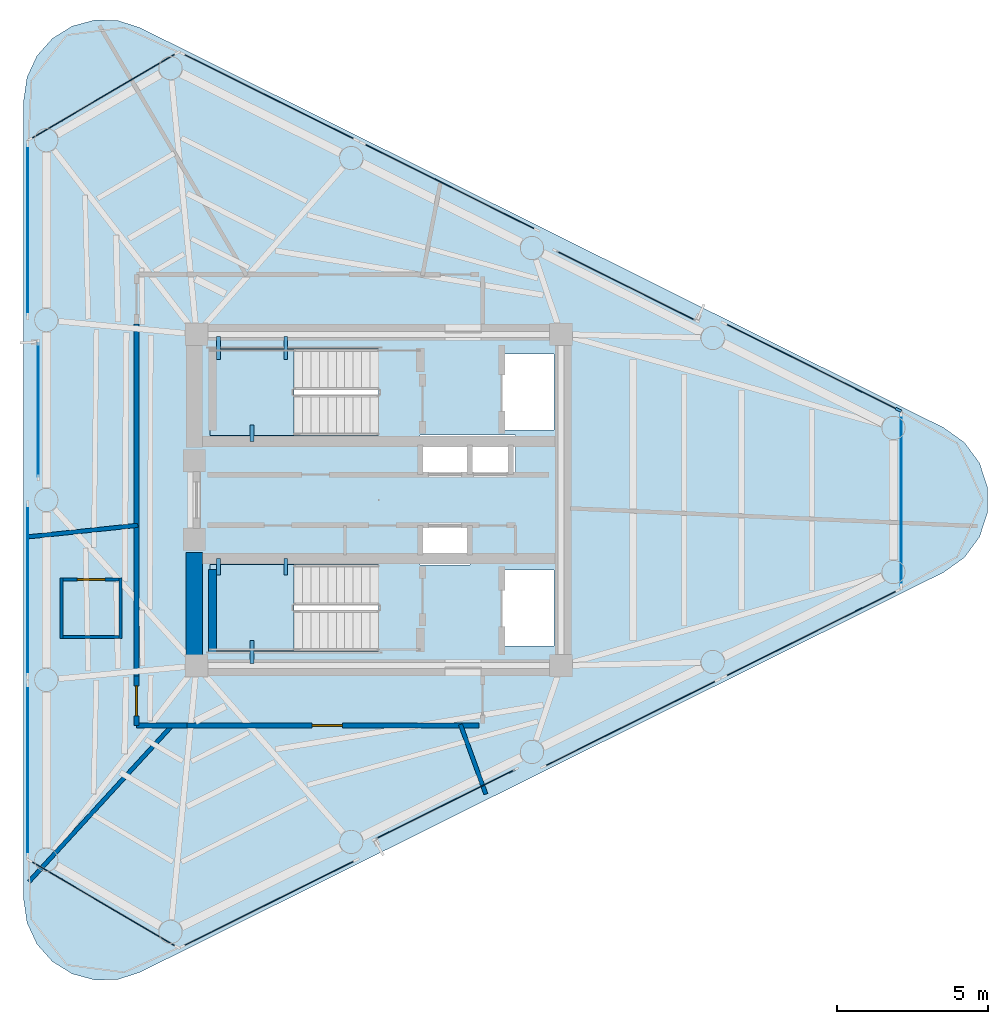
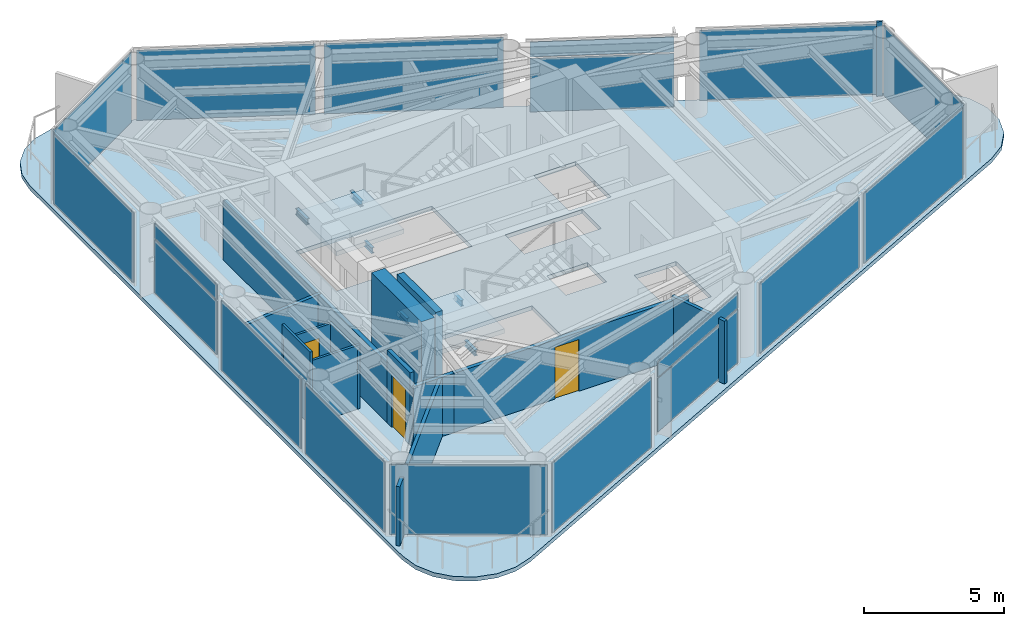
# One storey, part 4 of 10: 18 plates, 13 walls, 6 beams, 3 doors, 3 slabs, 1 member, 3 openings, 17 elements without a shape of their own.
"""IFC4 building model written with IfcOpenShell, lengths in metres."""

from ifc_helpers import new_model, si_unit, direction, frame, frame_2d, origin, origin_2d, place, context, subcontext, project, spatial, polyline, rectangle, i_section, outline, extrude, source, transform, mapped, material, layer, layer_set, material_profile, profile_set, type_object, element, fill, aggregate, save


model = new_model("IFC4")

# Units and contexts
model_context = context("Model", 3, precision=1e-05, world=origin(), true_north=direction((0.0, 1.0)))
body_context = subcontext(model_context, "Body", "Model", "MODEL_VIEW")
ifc_project = project(units=[si_unit("LENGTHUNIT", "METRE"), si_unit("AREAUNIT", "SQUARE_METRE"), si_unit("VOLUMEUNIT", "CUBIC_METRE"), si_unit("PLANEANGLEUNIT", "RADIAN"), si_unit("MASSUNIT", "GRAM", prefix="KILO")], contexts=[model_context])

# Site, building, storey
site_placement = place(None, origin())
site = spatial("IfcSite", under=ifc_project, at=site_placement, CompositionType="ELEMENT")
building_placement = place(site_placement, origin())
building = spatial("IfcBuilding", under=site, at=building_placement, Name="Yunling Apex Tower", CompositionType="ELEMENT")
storey_placement = place(building_placement, frame((0.0, 0.0, 314.0)))
storey = spatial("IfcBuildingStorey", under=building, at=storey_placement, Name="L77", CompositionType="ELEMENT", Elevation=314.0)

# Beams
ifc_material_1 = material(Name="Steel Q355B", Category="steel")
ifc_material_profile_1 = material_profile(ifc_material_1, i_section(OverallWidth=0.125, OverallDepth=0.25, WebThickness=0.006103515625, FlangeThickness=0.009033203125, FilletRadius=0.011962890625, at=origin_2d()))
ifc_profile_set_1 = profile_set([ifc_material_profile_1], Name="Steel Q355B")
beam_type = type_object("IfcBeamType", Name="BL-LNT-1", PredefinedType="LINTEL", material=ifc_profile_set_1)
shared_shape_1 = source(origin(), body_context, "Body", "SweptSolid", [
    extrude(i_section(OverallWidth=0.125, OverallDepth=0.25, WebThickness=0.006103515625, FlangeThickness=0.009033203125, FilletRadius=0.011962890625, at=origin_2d()), origin(), (0.0, 0.0, 1.0), 0.760009765625),
])
for number, where, z_axis, x_axis, name in (
    (1, (-5.320068359375, 5.419921875, 1.405029296875), (0.0, -1.0, 0.0), (1.0, 0.0, 0.0), "L77 ST-1 Landing Bearing Corbel 1-1"),
    (2, (-3.090087890625, 5.419921875, 1.405029296875), (0.0, -1.0, 0.0), (1.0, 0.0, 0.0), "L77 ST-1 Landing Bearing Corbel 1-2"),
    (3, (-4.205078125, -5.419921875, 1.405029296875), (0.0, 1.0, 0.0), (-1.0, 0.0, 0.0), "L77 ST-2 Landing Bearing Corbel 1-3"),
):
    element("IfcBeam", number, at=place(storey_placement, frame(where, z_axis=z_axis, x_axis=x_axis)), inside=storey, type_object=beam_type, Name=name, PredefinedType="LINTEL", context=body_context, shape_type="MappedRepresentation", body=[
        mapped(shared_shape_1, transform((0.0, 0.0, 0.0), scale=1.0)),
    ])
shared_shape_2 = source(origin(), body_context, "Body", "SweptSolid", [
    extrude(i_section(OverallWidth=0.125, OverallDepth=0.25, WebThickness=0.006103515625, FlangeThickness=0.009033203125, FilletRadius=0.011962890625, at=origin_2d()), origin(), (0.0, 0.0, 1.0), 0.550048828125),
])
for number, where, z_axis, x_axis, name in (
    (4, (-4.205078125, 1.93994140625, 1.405029296875), (0.0, 1.0, 0.0), (-1.0, 0.0, 0.0), "L77 ST-1 Landing Bearing Corbel 1-3"),
    (5, (-5.320068359375, -1.93994140625, 1.405029296875), (0.0, -1.0, 0.0), (1.0, 0.0, 0.0), "L77 ST-2 Landing Bearing Corbel 1-1"),
    (6, (-3.090087890625, -1.93994140625, 1.405029296875), (0.0, -1.0, 0.0), (1.0, 0.0, 0.0), "L77 ST-2 Landing Bearing Corbel 1-2"),
):
    element("IfcBeam", number, at=place(storey_placement, frame(where, z_axis=z_axis, x_axis=x_axis)), inside=storey, type_object=beam_type, Name=name, PredefinedType="LINTEL", context=body_context, shape_type="MappedRepresentation", body=[
        mapped(shared_shape_2, transform((0.0, 0.0, 0.0), scale=1.0)),
    ])

# Curtain wall, member
ifc_material_2 = material(Name="Bronze anodised aluminium", Category="aluminium")
ifc_layer_1 = layer(ifc_material_2, 0.219970703125)
ifc_layer_set_1 = layer_set([ifc_layer_1], Name="Bronze anodised aluminium")
curtain_wall_type = type_object("IfcCurtainWallType", Name="CW-SYS-4", PredefinedType="NOTDEFINED", material=ifc_layer_set_1)
curtain_wall_1_placement = place(storey_placement, origin())
curtain_wall_1 = element("IfcCurtainWall", 7, at=curtain_wall_1_placement, inside=storey, type_object=curtain_wall_type, Name="CW-L77-F2-B1", PredefinedType="NOTDEFINED")
ifc_material_profile_2 = material_profile(ifc_material_2, rectangle(XDim=0.080078125, YDim=0.219970703125, at=origin_2d()))
ifc_profile_set_2 = profile_set([ifc_material_profile_2], Name="Bronze anodised aluminium")
member_type = type_object("IfcMemberType", Name="CW-MUL-4", PredefinedType="MULLION", material=ifc_profile_set_2)
shared_shape_3 = source(origin(), body_context, "Body", "SweptSolid", [
    extrude(rectangle(XDim=0.080078125, YDim=0.219970703125, at=origin_2d()), origin(), (0.0, 0.0, 1.0), 3.2900390625),
])
member_placement = place(storey_placement, frame((17.2509765625, 2.990966796875, -0.050048828125), z_axis=(0.0, 0.0, 1.0), x_axis=(-0.445568135078, -0.895248030996, 0.0)))
member = element("IfcMember", 8, at=member_placement, type_object=member_type, Name="CW-SYS-4 mullion 1", PredefinedType="MULLION", context=body_context, shape_type="MappedRepresentation", body=[
    mapped(shared_shape_3, transform((0.0, 0.0, 0.0), scale=1.0)),
])

# Slab
ifc_material_3 = material(Name="Concrete C40", Category="concrete")
ifc_layer_2 = layer(ifc_material_3, 0.155029296875)
ifc_layer_set_2 = layer_set([ifc_layer_2], Name="Concrete C40")
slab_type_1 = type_object("IfcSlabType", Name="SL-FLR-3", PredefinedType="FLOOR", material=ifc_layer_set_2)
slab_1_placement = place(storey_placement, frame((0.0, 0.0, -0.179931640625)))
element("IfcSlab", 9, at=slab_1_placement, inside=storey, type_object=slab_type_1, Name="L77 Composite Tower Floor Slab", PredefinedType="FLOOR", context=body_context, shape_type="SweptSolid", body=[
    extrude(outline(polyline([(-11.787353515625, -13.2724609375), (-11.675048828125, -14.039794921875), (-11.347900390625, -14.742919921875), (-10.833251953125, -15.322998046875), (-10.173828125, -15.731201171875), (-9.42529296875, -15.93359375), (-8.650146484375, -15.913330078125), (-7.9130859375, -15.671875), (18.754150390625, -2.3994140625), (19.442138671875, -1.90771484375), (19.94287109375, -1.226318359375), (20.206298828125, -0.4228515625), (20.206298828125, 0.4228515625), (19.94287109375, 1.226318359375), (19.442138671875, 1.90771484375), (18.754150390625, 2.3994140625), (-7.9130859375, 15.671875), (-8.650146484375, 15.913330078125), (-9.42529296875, 15.93359375), (-10.173828125, 15.731201171875), (-10.833251953125, 15.322998046875), (-11.347900390625, 14.742919921875), (-11.675048828125, 14.039794921875), (-11.787353515625, 13.2724609375), (-11.787353515625, -13.2724609375)]), holes=[polyline([(4.090087890625, 4.840087890625), (5.81005859375, 4.840087890625), (5.81005859375, 2.320068359375), (4.090087890625, 2.320068359375), (4.090087890625, 4.840087890625)]), polyline([(4.090087890625, -4.840087890625), (4.090087890625, -2.320068359375), (5.81005859375, -2.320068359375), (5.81005859375, -4.840087890625), (4.090087890625, -4.840087890625)]), polyline([(4.534912109375, 0.794921875), (1.364990234375, 0.794921875), (1.364990234375, 2.1650390625), (4.534912109375, 2.1650390625), (4.534912109375, 0.794921875)]), polyline([(1.364990234375, -0.794921875), (3.034912109375, -0.794921875), (3.034912109375, -2.1650390625), (1.364990234375, -2.1650390625), (1.364990234375, -0.794921875)]), polyline([(-0.010009765625, -5.010009765625), (-5.60009765625, -5.010009765625), (-5.60009765625, -2.139892578125), (-0.010009765625, -2.139892578125), (-0.010009765625, -5.010009765625)]), polyline([(-0.010009765625, 2.139892578125), (-5.60009765625, 2.139892578125), (-5.60009765625, 5.010009765625), (-0.010009765625, 5.010009765625), (-0.010009765625, 2.139892578125)])]), origin(), (0.0, 0.0, 1.0), 0.179931640625),
])

# Stair, slab
stair_type = type_object("IfcStairType", Name="ST-TWR-3", PredefinedType="HALF_TURN_STAIR", material=ifc_material_3)
stair_1_placement = place(storey_placement, origin())
stair_1 = element("IfcStair", 10, at=stair_1_placement, inside=storey, type_object=stair_type, Name="L77 North Core Smokeproof Exit Stair ST-1", PredefinedType="HALF_TURN_STAIR")
ifc_layer_3 = layer(ifc_material_3, 0.195068359375)
ifc_layer_set_3 = layer_set([ifc_layer_3], Name="Concrete C40")
slab_type_2 = type_object("IfcSlabType", Name="SL-LND-1", PredefinedType="LANDING", material=ifc_layer_set_3)
slab_2_placement = place(storey_placement, frame((0.0, 0.0, 1.530029296875)))
slab_2 = element("IfcSlab", 11, at=slab_2_placement, type_object=slab_type_2, Name="ST-1 landing 1", PredefinedType="LANDING", context=body_context, shape_type="SweptSolid", body=[
    extrude(outline(polyline([(-2.81005859375, 5.010009765625), (-5.60009765625, 5.010009765625), (-5.60009765625, 2.139892578125), (-2.81005859375, 2.139892578125), (-2.81005859375, 5.010009765625)])), origin(), (0.0, 0.0, 1.0), 0.195068359375),
])
aggregate(stair_1, [slab_2])

stair_2_placement = place(storey_placement, origin())
stair_2 = element("IfcStair", 12, at=stair_2_placement, inside=storey, type_object=stair_type, Name="L77 South Core Smokeproof Exit Stair ST-2", PredefinedType="HALF_TURN_STAIR")
slab_3_placement = place(storey_placement, frame((0.0, 0.0, 1.530029296875)))
slab_3 = element("IfcSlab", 13, at=slab_3_placement, type_object=slab_type_2, Name="ST-2 landing 1", PredefinedType="LANDING", context=body_context, shape_type="SweptSolid", body=[
    extrude(outline(polyline([(-2.81005859375, -2.139892578125), (-5.60009765625, -2.139892578125), (-5.60009765625, -5.010009765625), (-2.81005859375, -5.010009765625), (-2.81005859375, -2.139892578125)])), origin(), (0.0, 0.0, 1.0), 0.195068359375),
])
aggregate(stair_2, [slab_3])

# Curtain wall, plate
curtain_wall_2_placement = place(storey_placement, origin())
curtain_wall_2 = element("IfcCurtainWall", 14, at=curtain_wall_2_placement, inside=storey, type_object=curtain_wall_type, Name="CW-L77-F1-B1", PredefinedType="NOTDEFINED")
ifc_material_4 = material(Name="Bronze tinted low-E glass", Category="glass")
ifc_layer_4 = layer(ifc_material_4, 0.030029296875)
ifc_layer_set_4 = layer_set([ifc_layer_4], Name="Bronze tinted low-E glass")
plate_type = type_object("IfcPlateType", Name="CW-PNL-4", PredefinedType="CURTAIN_PANEL", material=ifc_layer_set_4)
shared_shape_4 = source(origin(), body_context, "Body", "SweptSolid", [
    extrude(rectangle(XDim=6.398193359375, YDim=0.030029296875, at=origin_2d()), origin(), (0.0, 0.0, 1.0), 3.0458984375),
])
plate_1_placement = place(storey_placement, frame((-3.64208984375, -13.3896484375, 0.072021484375), z_axis=(0.0, 0.0, 1.0), x_axis=(0.895248030996, 0.445568135078, 0.0)))
plate_1 = element("IfcPlate", 15, at=plate_1_placement, type_object=plate_type, Name="CW-SYS-4 panel 1.1", PredefinedType="CURTAIN_PANEL", context=body_context, shape_type="MappedRepresentation", body=[
    mapped(shared_shape_4, transform((0.0, 0.0, 0.0), scale=1.0)),
])
aggregate(curtain_wall_2, [plate_1])

curtain_wall_3_placement = place(storey_placement, origin())
curtain_wall_3 = element("IfcCurtainWall", 16, at=curtain_wall_3_placement, inside=storey, type_object=curtain_wall_type, Name="CW-L77-F1-B3", PredefinedType="NOTDEFINED")
plate_2_placement = place(storey_placement, frame((8.358154296875, -7.4169921875, 0.072021484375), z_axis=(0.0, 0.0, 1.0), x_axis=(0.895241933715, 0.445580385698, 0.0)))
plate_2 = element("IfcPlate", 17, at=plate_2_placement, type_object=plate_type, Name="CW-SYS-4 panel 1.1", PredefinedType="CURTAIN_PANEL", context=body_context, shape_type="MappedRepresentation", body=[
    mapped(shared_shape_4, transform((0.0, 0.0, 0.0), scale=1.0)),
])
aggregate(curtain_wall_3, [plate_2])

curtain_wall_4_placement = place(storey_placement, origin())
curtain_wall_4 = element("IfcCurtainWall", 18, at=curtain_wall_4_placement, inside=storey, type_object=curtain_wall_type, Name="CW-L77-F1-B4", PredefinedType="NOTDEFINED")
plate_3_placement = place(storey_placement, frame((14.358154296875, -4.4306640625, 0.072021484375), z_axis=(0.0, 0.0, 1.0), x_axis=(0.895248030996, 0.445568135078, 0.0)))
plate_3 = element("IfcPlate", 19, at=plate_3_placement, type_object=plate_type, Name="CW-SYS-4 panel 1.1", PredefinedType="CURTAIN_PANEL", context=body_context, shape_type="MappedRepresentation", body=[
    mapped(shared_shape_4, transform((0.0, 0.0, 0.0), scale=1.0)),
])
aggregate(curtain_wall_4, [plate_3])

# Plate
plate_4_placement = place(storey_placement, frame((14.358154296875, 4.4306640625, 0.072021484375), z_axis=(0.0, 0.0, 1.0), x_axis=(-0.895248030996, 0.445568135078, 0.0)))
plate_4 = element("IfcPlate", 20, at=plate_4_placement, type_object=plate_type, Name="CW-SYS-4 panel 1.1", PredefinedType="CURTAIN_PANEL", context=body_context, shape_type="MappedRepresentation", body=[
    mapped(shared_shape_4, transform((0.0, 0.0, 0.0), scale=1.0)),
])

aggregate(curtain_wall_1, [member, plate_4])

# Curtain wall, plate
curtain_wall_5_placement = place(storey_placement, origin())
curtain_wall_5 = element("IfcCurtainWall", 21, at=curtain_wall_5_placement, inside=storey, type_object=curtain_wall_type, Name="CW-L77-F2-B3", PredefinedType="NOTDEFINED")
plate_5_placement = place(storey_placement, frame((2.35791015625, 10.4033203125, 0.072021484375), z_axis=(0.0, 0.0, 1.0), x_axis=(-0.895251065549, 0.445562037917, 0.0)))
plate_5 = element("IfcPlate", 22, at=plate_5_placement, type_object=plate_type, Name="CW-SYS-4 panel 1.1", PredefinedType="CURTAIN_PANEL", context=body_context, shape_type="MappedRepresentation", body=[
    mapped(shared_shape_4, transform((0.0, 0.0, 0.0), scale=1.0)),
])
aggregate(curtain_wall_5, [plate_5])

curtain_wall_6_placement = place(storey_placement, origin())
curtain_wall_6 = element("IfcCurtainWall", 23, at=curtain_wall_6_placement, inside=storey, type_object=curtain_wall_type, Name="CW-L77-F2-B4", PredefinedType="NOTDEFINED")
plate_6_placement = place(storey_placement, frame((-3.64208984375, 13.3896484375, 0.072021484375), z_axis=(0.0, 0.0, 1.0), x_axis=(-0.895248030996, 0.445568135078, 0.0)))
plate_6 = element("IfcPlate", 24, at=plate_6_placement, type_object=plate_type, Name="CW-SYS-4 panel 1.1", PredefinedType="CURTAIN_PANEL", context=body_context, shape_type="MappedRepresentation", body=[
    mapped(shared_shape_4, transform((0.0, 0.0, 0.0), scale=1.0)),
])
aggregate(curtain_wall_6, [plate_6])

curtain_wall_7_placement = place(storey_placement, origin())
curtain_wall_7 = element("IfcCurtainWall", 25, at=curtain_wall_7_placement, inside=storey, type_object=curtain_wall_type, Name="CW-L77-F1-B2", PredefinedType="NOTDEFINED")
shared_shape_5 = source(origin(), body_context, "Body", "SweptSolid", [
    extrude(rectangle(XDim=5.158203125, YDim=0.030029296875, at=origin_2d()), origin(), (0.0, 0.0, 1.0), 2.3203125),
])
plate_7_placement = place(storey_placement, frame((2.20654296875, -10.09912109375, 0.072021484375), z_axis=(0.0, 0.0, 1.0), x_axis=(0.895251720611, 0.445560721723, 0.0)))
plate_7 = element("IfcPlate", 26, at=plate_7_placement, type_object=plate_type, Name="CW-SYS-4 panel 1.1", PredefinedType="CURTAIN_PANEL", context=body_context, shape_type="MappedRepresentation", body=[
    mapped(shared_shape_5, transform((0.0, 0.0, 0.0), scale=1.0)),
])

curtain_wall_8_placement = place(storey_placement, origin())
curtain_wall_8 = element("IfcCurtainWall", 27, at=curtain_wall_8_placement, inside=storey, type_object=curtain_wall_type, Name="CW-L77-F2-B2", PredefinedType="NOTDEFINED")
plate_8_placement = place(storey_placement, frame((8.206787109375, 7.11279296875, 0.072021484375), z_axis=(0.0, 0.0, 1.0), x_axis=(-0.895240453185, 0.445583360305, 0.0)))
plate_8 = element("IfcPlate", 28, at=plate_8_placement, type_object=plate_type, Name="CW-SYS-4 panel 1.1", PredefinedType="CURTAIN_PANEL", context=body_context, shape_type="MappedRepresentation", body=[
    mapped(shared_shape_5, transform((0.0, 0.0, 0.0), scale=1.0)),
])

# Plate
shared_shape_6 = source(origin(), body_context, "Body", "SweptSolid", [
    extrude(rectangle(XDim=5.158203125, YDim=0.030029296875, at=origin_2d()), origin(), (0.0, 0.0, 1.0), 0.66162109375),
])
plate_9_placement = place(storey_placement, frame((2.20654296875, -10.09912109375, 2.456298828125), z_axis=(0.0, 0.0, 1.0), x_axis=(0.895251720611, 0.445560721723, 0.0)))
plate_9 = element("IfcPlate", 29, at=plate_9_placement, type_object=plate_type, Name="CW-SYS-4 panel 1.2", PredefinedType="CURTAIN_PANEL", context=body_context, shape_type="MappedRepresentation", body=[
    mapped(shared_shape_6, transform((0.0, 0.0, 0.0), scale=1.0)),
])

aggregate(curtain_wall_7, [plate_7, plate_9])

plate_10_placement = place(storey_placement, frame((8.206787109375, 7.11279296875, 2.456298828125), z_axis=(0.0, 0.0, 1.0), x_axis=(-0.895240453185, 0.445583360305, 0.0)))
plate_10 = element("IfcPlate", 30, at=plate_10_placement, type_object=plate_type, Name="CW-SYS-4 panel 1.2", PredefinedType="CURTAIN_PANEL", context=body_context, shape_type="MappedRepresentation", body=[
    mapped(shared_shape_6, transform((0.0, 0.0, 0.0), scale=1.0)),
])

aggregate(curtain_wall_8, [plate_8, plate_10])

# Curtain wall, plate
curtain_wall_9_placement = place(storey_placement, origin())
curtain_wall_9 = element("IfcCurtainWall", 31, at=curtain_wall_9_placement, inside=storey, type_object=curtain_wall_type, Name="CW-L77-CRN1", PredefinedType="NOTDEFINED")
shared_shape_7 = source(origin(), body_context, "Body", "SweptSolid", [
    extrude(rectangle(XDim=5.6953125, YDim=0.030029296875, at=origin_2d()), origin(), (0.0, 0.0, 1.0), 3.0458984375),
])
plate_11_placement = place(storey_placement, frame((17.349365234375, 0.0, 0.072021484375), z_axis=(0.0, 0.0, 1.0), x_axis=(0.0, 1.0, 0.0)))
plate_11 = element("IfcPlate", 32, at=plate_11_placement, type_object=plate_type, Name="CW-SYS-4 panel 1.1", PredefinedType="CURTAIN_PANEL", context=body_context, shape_type="MappedRepresentation", body=[
    mapped(shared_shape_7, transform((0.0, 0.0, 0.0), scale=1.0)),
])
aggregate(curtain_wall_9, [plate_11])

curtain_wall_10_placement = place(storey_placement, origin())
curtain_wall_10 = element("IfcCurtainWall", 33, at=curtain_wall_10_placement, inside=storey, type_object=curtain_wall_type, Name="CW-L77-CRN2", PredefinedType="NOTDEFINED")
shared_shape_8 = source(origin(), body_context, "Body", "SweptSolid", [
    extrude(rectangle(XDim=5.62548828125, YDim=0.030029296875, at=origin_2d()), origin(), (0.0, 0.0, 1.0), 3.0458984375),
])
plate_12_placement = place(storey_placement, frame((-9.13916015625, 13.405029296875, 0.072021484375), z_axis=(0.0, 0.0, 1.0), x_axis=(-0.862499991399, -0.506057076658, 0.0)))
plate_12 = element("IfcPlate", 34, at=plate_12_placement, type_object=plate_type, Name="CW-SYS-4 panel 1.1", PredefinedType="CURTAIN_PANEL", context=body_context, shape_type="MappedRepresentation", body=[
    mapped(shared_shape_8, transform((0.0, 0.0, 0.0), scale=1.0)),
])
aggregate(curtain_wall_10, [plate_12])

curtain_wall_11_placement = place(storey_placement, origin())
curtain_wall_11 = element("IfcCurtainWall", 35, at=curtain_wall_11_placement, inside=storey, type_object=curtain_wall_type, Name="CW-L77-CRN3", PredefinedType="NOTDEFINED")
plate_13_placement = place(storey_placement, frame((-9.13916015625, -13.405029296875, 0.072021484375), z_axis=(0.0, 0.0, 1.0), x_axis=(0.862492426173, -0.506069970256, 0.0)))
plate_13 = element("IfcPlate", 36, at=plate_13_placement, type_object=plate_type, Name="CW-SYS-4 panel 1.1", PredefinedType="CURTAIN_PANEL", context=body_context, shape_type="MappedRepresentation", body=[
    mapped(shared_shape_8, transform((0.0, 0.0, 0.0), scale=1.0)),
])
aggregate(curtain_wall_11, [plate_13])

curtain_wall_12_placement = place(storey_placement, origin())
curtain_wall_12 = element("IfcCurtainWall", 37, at=curtain_wall_12_placement, inside=storey, type_object=curtain_wall_type, Name="CW-L77-F3-B1", PredefinedType="NOTDEFINED")
shared_shape_9 = source(origin(), body_context, "Body", "SweptSolid", [
    extrude(rectangle(XDim=5.668701171875, YDim=0.030029296875, at=origin_2d()), origin(), (0.0, 0.0, 1.0), 3.0458984375),
])
plate_14_placement = place(storey_placement, frame((-11.647216796875, 8.958984375, 0.072021484375), z_axis=(0.0, 0.0, 1.0), x_axis=(0.0, -1.0, 0.0)))
plate_14 = element("IfcPlate", 38, at=plate_14_placement, type_object=plate_type, Name="CW-SYS-4 panel 1.1", PredefinedType="CURTAIN_PANEL", context=body_context, shape_type="MappedRepresentation", body=[
    mapped(shared_shape_9, transform((0.0, 0.0, 0.0), scale=1.0)),
])
aggregate(curtain_wall_12, [plate_14])

curtain_wall_13_placement = place(storey_placement, origin())
curtain_wall_13 = element("IfcCurtainWall", 39, at=curtain_wall_13_placement, inside=storey, type_object=curtain_wall_type, Name="CW-L77-F3-B3", PredefinedType="NOTDEFINED")
plate_15_placement = place(storey_placement, frame((-11.647216796875, -2.986328125, 0.072021484375), z_axis=(0.0, 0.0, 1.0), x_axis=(0.0, -1.0, 0.0)))
plate_15 = element("IfcPlate", 40, at=plate_15_placement, type_object=plate_type, Name="CW-SYS-4 panel 1.1", PredefinedType="CURTAIN_PANEL", context=body_context, shape_type="MappedRepresentation", body=[
    mapped(shared_shape_9, transform((0.0, 0.0, 0.0), scale=1.0)),
])
aggregate(curtain_wall_13, [plate_15])

curtain_wall_14_placement = place(storey_placement, origin())
curtain_wall_14 = element("IfcCurtainWall", 41, at=curtain_wall_14_placement, inside=storey, type_object=curtain_wall_type, Name="CW-L77-F3-B4", PredefinedType="NOTDEFINED")
plate_16_placement = place(storey_placement, frame((-11.647216796875, -8.958984375, 0.072021484375), z_axis=(0.0, 0.0, 1.0), x_axis=(0.0, -1.0, 0.0)))
plate_16 = element("IfcPlate", 42, at=plate_16_placement, type_object=plate_type, Name="CW-SYS-4 panel 1.1", PredefinedType="CURTAIN_PANEL", context=body_context, shape_type="MappedRepresentation", body=[
    mapped(shared_shape_9, transform((0.0, 0.0, 0.0), scale=1.0)),
])
aggregate(curtain_wall_14, [plate_16])

# Curtain wall, plates
curtain_wall_15_placement = place(storey_placement, origin())
curtain_wall_15 = element("IfcCurtainWall", 43, at=curtain_wall_15_placement, inside=storey, type_object=curtain_wall_type, Name="CW-L77-F3-B2", PredefinedType="NOTDEFINED")
shared_shape_10 = source(origin(), body_context, "Body", "SweptSolid", [
    extrude(rectangle(XDim=4.4287109375, YDim=0.030029296875, at=origin_2d()), origin(), (0.0, 0.0, 1.0), 2.3203125),
])
plate_17_placement = place(storey_placement, frame((-11.307373046875, 2.986328125, 0.072021484375), z_axis=(0.0, 0.0, 1.0), x_axis=(0.0, -1.0, 0.0)))
plate_17 = element("IfcPlate", 44, at=plate_17_placement, type_object=plate_type, Name="CW-SYS-4 panel 1.1", PredefinedType="CURTAIN_PANEL", context=body_context, shape_type="MappedRepresentation", body=[
    mapped(shared_shape_10, transform((0.0, 0.0, 0.0), scale=1.0)),
])
shared_shape_11 = source(origin(), body_context, "Body", "SweptSolid", [
    extrude(rectangle(XDim=4.4287109375, YDim=0.030029296875, at=origin_2d()), origin(), (0.0, 0.0, 1.0), 0.66162109375),
])
plate_18_placement = place(storey_placement, frame((-11.307373046875, 2.986328125, 2.456298828125), z_axis=(0.0, 0.0, 1.0), x_axis=(0.0, -1.0, 0.0)))
plate_18 = element("IfcPlate", 45, at=plate_18_placement, type_object=plate_type, Name="CW-SYS-4 panel 1.2", PredefinedType="CURTAIN_PANEL", context=body_context, shape_type="MappedRepresentation", body=[
    mapped(shared_shape_11, transform((0.0, 0.0, 0.0), scale=1.0)),
])
aggregate(curtain_wall_15, [plate_17, plate_18])

# Walls
ifc_layer_5 = layer(ifc_material_3, 0.550048828125)
ifc_layer_set_5 = layer_set([ifc_layer_5], Name="Concrete C40")
wall_type_1 = type_object("IfcWallType", Name="WL-COR-3", PredefinedType="SHEAR", material=ifc_layer_set_5)
wall_1_placement = place(storey_placement, frame((-6.125, -5.300048828125, 0.0), z_axis=(0.0, 0.0, 1.0), x_axis=(0.0, 1.0, 0.0)))
element("IfcWall", 46, at=wall_1_placement, inside=storey, type_object=wall_type_1, Name="L77 West-South Core Shear Wall", PredefinedType="SHEAR", context=body_context, shape_type="SweptSolid", body=[
    extrude(rectangle(XDim=3.550048828125, YDim=0.550048828125, at=frame_2d((1.77490234375, 0.0))), origin(), (0.0, 0.0, 1.0), 3.449951171875),
])
ifc_layer_6 = layer(ifc_material_3, 0.280029296875)
ifc_layer_set_6 = layer_set([ifc_layer_6], Name="Concrete C40")
wall_type_2 = type_object("IfcWallType", Name="WL-COR-8", PredefinedType="SHEAR", material=ifc_layer_set_6)
wall_2_placement = place(storey_placement, frame((-5.52001953125, -5.050048828125, 0.0), z_axis=(0.0, 0.0, 1.0), x_axis=(0.0, 1.0, 0.0)))
element("IfcWall", 47, at=wall_2_placement, inside=storey, type_object=wall_type_2, Name="L77 ST-2 West Landing Bearing Wall", PredefinedType="SHEAR", context=body_context, shape_type="SweptSolid", body=[
    extrude(rectangle(XDim=2.75, YDim=0.280029296875, at=frame_2d((1.375, 0.0))), origin(), (0.0, 0.0, 1.0), 3.449951171875),
])

# Wall, opening, door
ifc_material_5 = material(Name="Gypsum board acoustic partition")
ifc_layer_7 = layer(ifc_material_5, 0.159912109375)
ifc_layer_set_7 = layer_set([ifc_layer_7], Name="Gypsum board acoustic partition")
wall_type_3 = type_object("IfcWallType", Name="WL-PRT-1", PredefinedType="PARTITIONING", material=ifc_layer_set_7)
wall_3_placement = place(storey_placement, frame((3.319091796875, -7.489990234375, 0.0), z_axis=(0.0, 0.0, 1.0), x_axis=(-1.0, 0.0, 0.0)))
wall_3 = element("IfcWall", 48, at=wall_3_placement, inside=storey, type_object=wall_type_3, Name="WL-CORR-L77-06", PredefinedType="PARTITIONING", context=body_context, shape_type="SweptSolid", body=[
    extrude(rectangle(XDim=9.67919921875, YDim=0.159912109375, at=frame_2d((4.839599609375, 0.0))), origin(), (0.0, 0.0, 1.0), 2.574951171875),
])
opening_1_placement = place(wall_3_placement, frame((4.529541015625, 0.0, 0.0)))
opening_1 = element("IfcOpeningElement", 49, at=opening_1_placement, cuts=wall_3, Name="Opening DR-OFF-1", PredefinedType="OPENING", context=body_context, shape_type="SweptSolid", body=[
    extrude(rectangle(XDim=1.0, YDim=2.25, at=frame_2d((0.5, 1.125))), frame((0.0, 0.08984375, 0.0), z_axis=(0.0, -1.0, 0.0), x_axis=(1.0, 0.0, 0.0)), (0.0, 0.0, 1.0), 0.179931640625),
])
door_type_1 = type_object("IfcDoorType", Name="DR-OFF-1", OperationType="NOTDEFINED", PredefinedType="DOOR", material=ifc_material_2)
door_1_placement = place(opening_1_placement, origin())
door_1 = element("IfcDoor", 50, at=door_1_placement, inside=storey, type_object=door_type_1, Name="L77 Concierge Reception Foyer Door", OperationType="SINGLE_SWING_LEFT", OverallHeight=2.25, OverallWidth=1.0, PredefinedType="DOOR", context=body_context, shape_type="SweptSolid", body=[
    extrude(rectangle(XDim=1.0, YDim=2.25, at=frame_2d((0.5, 1.125))), frame((0.0, 0.02490234375, 0.0), z_axis=(0.0, -1.0, 0.0), x_axis=(1.0, 0.0, 0.0)), (0.0, 0.0, 1.0), 0.050048828125),
])
fill(opening_1, door_1)

# Wall
wall_4_placement = place(storey_placement, frame((-6.360107421875, -7.489990234375, 0.0), z_axis=(0.0, 0.0, 1.0), x_axis=(-1.0, 0.0, 0.0)))
element("IfcWall", 51, at=wall_4_placement, inside=storey, type_object=wall_type_3, Name="WL-CORR-L77-07", PredefinedType="PARTITIONING", context=body_context, shape_type="SweptSolid", body=[
    extrude(rectangle(XDim=1.679931640625, YDim=0.159912109375, at=frame_2d((0.83984375, 0.0))), origin(), (0.0, 0.0, 1.0), 2.574951171875),
])

# Wall, opening, door
wall_5_placement = place(storey_placement, frame((-8.0400390625, -7.489990234375, 0.0), z_axis=(0.0, 0.0, 1.0), x_axis=(0.0, 1.0, 0.0)))
wall_5 = element("IfcWall", 52, at=wall_5_placement, inside=storey, type_object=wall_type_3, Name="WL-CORR-L77-08", PredefinedType="PARTITIONING", context=body_context, shape_type="SweptSolid", body=[
    extrude(rectangle(XDim=1.639892578125, YDim=0.159912109375, at=frame_2d((0.81982421875, 0.0))), origin(), (0.0, 0.0, 1.0), 3.169921875),
])
opening_2_placement = place(wall_5_placement, frame((0.320068359375, 0.0, 0.0)))
opening_2 = element("IfcOpeningElement", 53, at=opening_2_placement, cuts=wall_5, Name="Opening DR-OFF-1", PredefinedType="OPENING", context=body_context, shape_type="SweptSolid", body=[
    extrude(rectangle(XDim=1.0, YDim=2.25, at=frame_2d((0.5, 1.125))), frame((0.0, 0.08984375, 0.0), z_axis=(0.0, -1.0, 0.0), x_axis=(1.0, 0.0, 0.0)), (0.0, 0.0, 1.0), 0.179931640625),
])
door_2_placement = place(opening_2_placement, origin())
door_2 = element("IfcDoor", 54, at=door_2_placement, inside=storey, type_object=door_type_1, Name="L77 Wellness Yoga Club Door", OperationType="SINGLE_SWING_RIGHT", OverallHeight=2.25, OverallWidth=1.0, PredefinedType="DOOR", context=body_context, shape_type="SweptSolid", body=[
    extrude(rectangle(XDim=1.0, YDim=2.25, at=frame_2d((0.5, 1.125))), frame((0.0, 0.02490234375, 0.0), z_axis=(0.0, -1.0, 0.0), x_axis=(1.0, 0.0, 0.0)), (0.0, 0.0, 1.0), 0.050048828125),
])
fill(opening_2, door_2)

# Walls
wall_6_placement = place(storey_placement, frame((-8.0400390625, -5.85009765625, 0.0), z_axis=(0.0, 0.0, 1.0), x_axis=(0.0, 1.0, 0.0)))
element("IfcWall", 55, at=wall_6_placement, inside=storey, type_object=wall_type_3, Name="WL-CORR-L77-09", PredefinedType="PARTITIONING", context=body_context, shape_type="SweptSolid", body=[
    extrude(rectangle(XDim=11.7001953125, YDim=0.159912109375, at=frame_2d((5.85009765625, 0.0))), origin(), (0.0, 0.0, 1.0), 2.574951171875),
])
ifc_layer_8 = layer(ifc_material_5, 0.139892578125)
ifc_layer_set_8 = layer_set([ifc_layer_8], Name="Gypsum board acoustic partition")
wall_type_4 = type_object("IfcWallType", Name="WL-PRT-2", PredefinedType="PARTITIONING", material=ifc_layer_set_8)
wall_7_placement = place(storey_placement, frame((-8.0, -0.8408203125, 0.0), z_axis=(0.0, 0.0, 1.0), x_axis=(-0.994522036567, -0.104527119842, 0.0)))
element("IfcWall", 56, at=wall_7_placement, inside=storey, type_object=wall_type_4, Name="WL-RAD-L77-04", PredefinedType="PARTITIONING", context=body_context, shape_type="SweptSolid", body=[
    extrude(rectangle(XDim=3.627197265625, YDim=0.139892578125, at=frame_2d((1.8134765625, 0.0))), origin(), (0.0, 0.0, 1.0), 2.574951171875),
])
wall_8_placement = place(storey_placement, frame((-6.82666015625, -7.449951171875, 0.0), z_axis=(0.0, 0.0, 1.0), x_axis=(-0.675607445236, -0.737261541071, 0.0)))
element("IfcWall", 57, at=wall_8_placement, inside=storey, type_object=wall_type_4, Name="WL-RAD-L77-05", PredefinedType="PARTITIONING", context=body_context, shape_type="SweptSolid", body=[
    extrude(rectangle(XDim=7.076171875, YDim=0.139892578125, at=frame_2d((3.5380859375, 0.0))), origin(), (0.0, 0.0, 1.0), 2.574951171875),
])
wall_9_placement = place(storey_placement, frame((2.711669921875, -7.449951171875, 0.0), z_axis=(0.0, 0.0, 1.0), x_axis=(0.341989856239, -0.939703643831, 0.0)))
element("IfcWall", 58, at=wall_9_placement, inside=storey, type_object=wall_type_4, Name="WL-RAD-L77-06", PredefinedType="PARTITIONING", context=body_context, shape_type="SweptSolid", body=[
    extrude(rectangle(XDim=2.462158203125, YDim=0.139892578125, at=frame_2d((1.23095703125, 0.0))), origin(), (0.0, 0.0, 1.0), 2.735107421875),
])

# Wall, opening, door
ifc_layer_9 = layer(ifc_material_5, 0.10009765625)
ifc_layer_set_9 = layer_set([ifc_layer_9], Name="Gypsum board acoustic partition")
wall_type_5 = type_object("IfcWallType", Name="WL-PRT-4", PredefinedType="PARTITIONING", material=ifc_layer_set_9)
wall_10_placement = place(storey_placement, frame((-10.573974609375, -2.64404296875, 0.0), z_axis=(0.0, 0.0, 1.0), x_axis=(1.0, 0.0, 0.0)))
wall_10 = element("IfcWall", 59, at=wall_10_placement, inside=storey, type_object=wall_type_5, Name="WL-L77-RWC1N", PredefinedType="PARTITIONING", context=body_context, shape_type="SweptSolid", body=[
    extrude(rectangle(XDim=2.050048828125, YDim=0.10009765625, at=frame_2d((1.02490234375, 0.0))), origin(), (0.0, 0.0, 1.0), 2.574951171875),
])
opening_3_placement = place(wall_10_placement, frame((0.56494140625, 0.0, 0.0)))
opening_3 = element("IfcOpeningElement", 60, at=opening_3_placement, cuts=wall_10, Name="Opening DR-WC-1", PredefinedType="OPENING", context=body_context, shape_type="SweptSolid", body=[
    extrude(rectangle(XDim=0.919921875, YDim=2.10009765625, at=frame_2d((0.4599609375, 1.050048828125))), frame((0.0, 0.06005859375, 0.0), z_axis=(0.0, -1.0, 0.0), x_axis=(1.0, 0.0, 0.0)), (0.0, 0.0, 1.0), 0.1201171875),
])
ifc_material_6 = material(Name="Timber moisture-resistant leaf", Category="wood")
door_type_2 = type_object("IfcDoorType", Name="DR-WC-1", OperationType="NOTDEFINED", PredefinedType="DOOR", material=ifc_material_6)
door_3_placement = place(opening_3_placement, origin())
door_3 = element("IfcDoor", 61, at=door_3_placement, inside=storey, type_object=door_type_2, Name="L77 Accessible WC Door", OperationType="SINGLE_SWING_RIGHT", OverallHeight=2.10009765625, OverallWidth=0.919921875, PredefinedType="DOOR", context=body_context, shape_type="SweptSolid", body=[
    extrude(rectangle(XDim=0.919921875, YDim=2.10009765625, at=frame_2d((0.4599609375, 1.050048828125))), frame((0.0, 0.02490234375, 0.0), z_axis=(0.0, -1.0, 0.0), x_axis=(1.0, 0.0, 0.0)), (0.0, 0.0, 1.0), 0.050048828125),
])
fill(opening_3, door_3)

# Walls
wall_11_placement = place(storey_placement, frame((-8.52392578125, -4.5439453125, 0.0), z_axis=(0.0, 0.0, 1.0), x_axis=(-1.0, 0.0, 0.0)))
element("IfcWall", 62, at=wall_11_placement, inside=storey, type_object=wall_type_5, Name="WL-L77-RWC1S", PredefinedType="PARTITIONING", context=body_context, shape_type="SweptSolid", body=[
    extrude(rectangle(XDim=2.050048828125, YDim=0.10009765625, at=frame_2d((1.02490234375, 0.0))), origin(), (0.0, 0.0, 1.0), 2.77490234375),
])
wall_12_placement = place(storey_placement, frame((-8.573974609375, -2.593994140625, 0.0), z_axis=(0.0, 0.0, 1.0), x_axis=(0.0, -1.0, 0.0)))
element("IfcWall", 63, at=wall_12_placement, inside=storey, type_object=wall_type_5, Name="WL-L77-RWC1E", PredefinedType="PARTITIONING", context=body_context, shape_type="SweptSolid", body=[
    extrude(rectangle(XDim=2.0, YDim=0.10009765625, at=frame_2d((1.0, 0.0))), origin(), (0.0, 0.0, 1.0), 2.574951171875),
])
wall_13_placement = place(storey_placement, frame((-10.52392578125, -4.593994140625, 0.0), z_axis=(0.0, 0.0, 1.0), x_axis=(0.0, 1.0, 0.0)))
element("IfcWall", 64, at=wall_13_placement, inside=storey, type_object=wall_type_5, Name="WL-L77-RWC1W", PredefinedType="PARTITIONING", context=body_context, shape_type="SweptSolid", body=[
    extrude(rectangle(XDim=2.0, YDim=0.10009765625, at=frame_2d((1.0, 0.0))), origin(), (0.0, 0.0, 1.0), 3.169921875),
])

save(model, "model.ifc")
